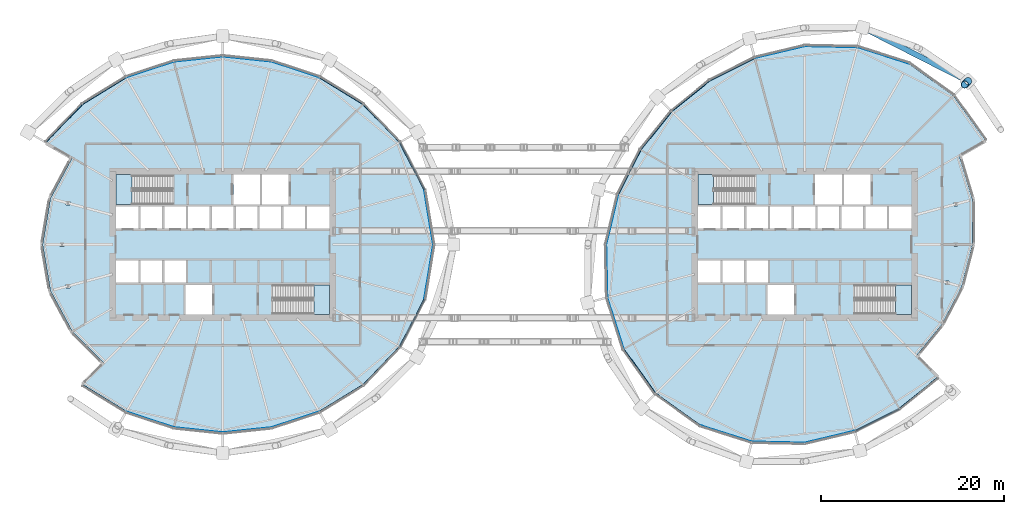
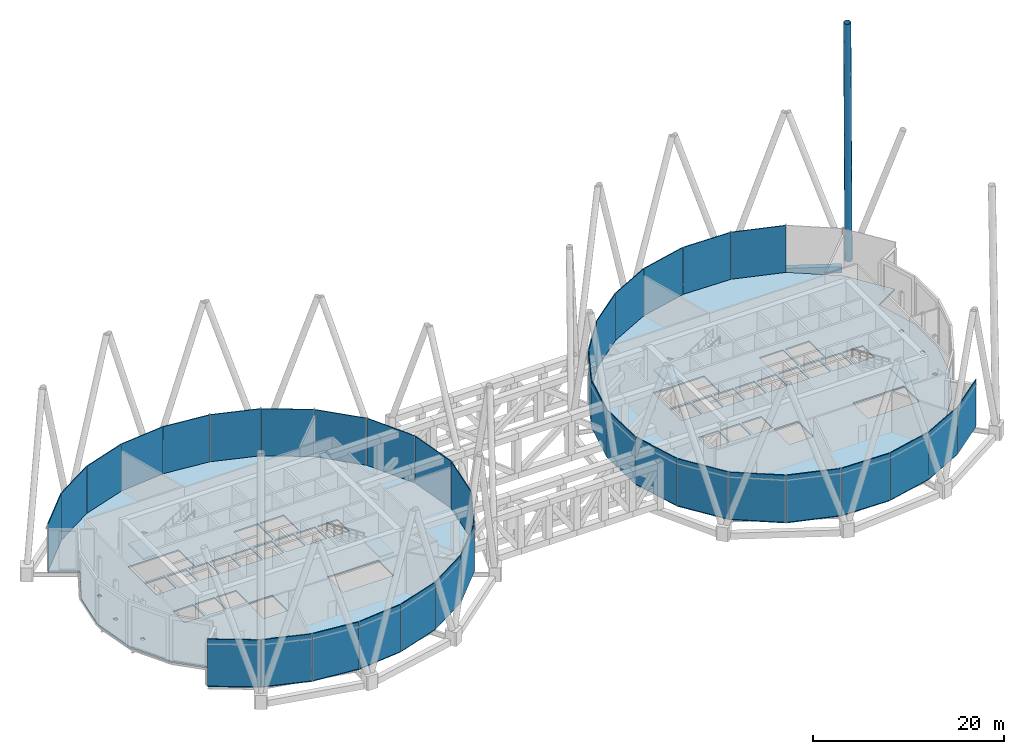
# One storey, part 30 of 39: 36 plates, 6 slabs, 1 beam, 1 member, 6 elements without a shape of their own.
"""IFC4 building model written with IfcOpenShell, lengths in metres."""

import ifcopenshell
import ifcopenshell.guid

model = None  # the IFC model being written
_history = None  # IfcOwnerHistory: only IFC2X3 demands one
_inside = {}  # id of a spatial element -> (the spatial element, [elements in it])
_under = {}  # id of a project, library or spatial element -> (it, [spatial elements below it])
_declared = {}  # id of a project -> (the project, [libraries it declares])
_typed = {}  # id of a type object -> (the type object, [elements of that type])
_made_of = {}  # id of a material, layer set ... -> (it, [elements and type objects made of it])


def new_model(schema):
    """Start an empty IFC model of exactly this schema.

    Asked for "IFC4X3", IfcOpenShell would pick the latest addendum, in which some entities
    have other attributes; the version numbers below select the first issue.
    IFC2X3 requires an IfcOwnerHistory on every rooted entity: one is made here for all.
    """
    global model, _history
    if schema == "IFC4X3":
        model = ifcopenshell.file(schema_version=(4, 3, 0, 0))
    else:
        model = ifcopenshell.file(schema=schema)
    _inside.clear()
    _under.clear()
    _declared.clear()
    _typed.clear()
    _made_of.clear()
    _history = None
    if model.schema == "IFC2X3":
        org = make("IfcOrganization", Name="unknown")
        user = make(
            "IfcPersonAndOrganization",
            ThePerson=make("IfcPerson", FamilyName="unknown"),
            TheOrganization=org,
        )
        app = make(
            "IfcApplication",
            ApplicationDeveloper=org,
            Version="unknown",
            ApplicationFullName="unknown",
            ApplicationIdentifier="unknown",
        )
        _history = make(
            "IfcOwnerHistory",
            OwningUser=user,
            OwningApplication=app,
            ChangeAction="ADDED",
            CreationDate=0,
        )
    return model


def make(cls, **values):
    """One entity of the class cls with the attributes given. An attribute that is None is left unset."""
    return model.create_entity(
        cls, **{name: value for name, value in values.items() if value is not None}
    )


def rooted(cls, **values):
    """An entity with a GlobalId (a new one), such as an element, a storey or a relation."""
    return make(cls, GlobalId=ifcopenshell.guid.new(), OwnerHistory=_history, **values)


def si_unit(unit_type, name, prefix=None):
    """IfcSIUnit, for example si_unit("LENGTHUNIT", "METRE", prefix="MILLI")."""
    return make("IfcSIUnit", UnitType=unit_type, Prefix=prefix, Name=name)


def assignment(units):
    """IfcUnitAssignment: the units of a project."""
    return None if units is None else make("IfcUnitAssignment", Units=units)


def point(xyz):
    """IfcCartesianPoint."""
    return None if xyz is None else make("IfcCartesianPoint", Coordinates=xyz)


def direction(xyz):
    """IfcDirection."""
    return None if xyz is None else make("IfcDirection", DirectionRatios=xyz)


def frame(location, z_axis=None, x_axis=None):
    """IfcAxis2Placement3D, a coordinate frame: its origin and axes. An axis left out is left unset."""
    return make(
        "IfcAxis2Placement3D",
        Location=point(location),
        Axis=direction(z_axis),
        RefDirection=direction(x_axis),
    )


def frame_2d(location, x_axis=None):
    """IfcAxis2Placement2D, a coordinate frame in the plane: its origin and x axis."""
    return make(
        "IfcAxis2Placement2D", Location=point(location), RefDirection=direction(x_axis)
    )


def origin():
    """The frame at (0, 0, 0) with its axes left unset."""
    return frame((0.0, 0.0, 0.0))


def origin_2d():
    """The frame at (0, 0) in the plane with its x axis left unset."""
    return frame_2d((0.0, 0.0))


def place(relative_to, where):
    """IfcLocalPlacement: puts the frame where relative to a parent placement (None: the world)."""
    return make(
        "IfcLocalPlacement", PlacementRelTo=relative_to, RelativePlacement=where
    )


def context(
    kind, dimensions, precision=None, world=None, true_north=None, identifier=None
):
    """IfcGeometricRepresentationContext, for example the 3D "Model" context."""
    return make(
        "IfcGeometricRepresentationContext",
        ContextIdentifier=identifier,
        ContextType=kind,
        CoordinateSpaceDimension=dimensions,
        Precision=precision,
        WorldCoordinateSystem=world,
        TrueNorth=true_north,
    )


def subcontext(parent, identifier, kind, view, scale=None):
    """IfcGeometricRepresentationSubContext, for example "Body" below "Model"."""
    return make(
        "IfcGeometricRepresentationSubContext",
        ContextIdentifier=identifier,
        ContextType=kind,
        ParentContext=parent,
        TargetScale=scale,
        TargetView=view,
    )


def project(units=None, contexts=None):
    """IfcProject with its units and contexts."""
    return rooted(
        "IfcProject",
        Name="project",
        RepresentationContexts=contexts,
        UnitsInContext=assignment(units),
    )


def spatial(cls, under=None, at=None, **own):
    """A site, building, storey or space (cls), placed at a placement, below another one or the project."""
    s = rooted(cls, ObjectPlacement=at, **own)
    if under is not None:
        _under.setdefault(under.id(), (under, []))[1].append(s)
    return s


def polyline(points):
    """IfcPolyline through the points."""
    return make("IfcPolyline", Points=[point(p) for p in points])


def profile(cls, at=None, kind="AREA", **sizes):
    """A parametric profile (cls). Its sizes go by their IFC names, for example OverallWidth=200.0."""
    return make(cls, ProfileType=kind, Position=at, **sizes)


def rectangle(**sizes):
    """IfcRectangleProfileDef."""
    return profile("IfcRectangleProfileDef", **sizes)


def hollow_rectangle(**sizes):
    """IfcRectangleHollowProfileDef."""
    return profile("IfcRectangleHollowProfileDef", **sizes)


def hollow_circle(**sizes):
    """IfcCircleHollowProfileDef."""
    return profile("IfcCircleHollowProfileDef", **sizes)


def outline(outer, holes=None, kind="AREA"):
    """IfcArbitraryClosedProfileDef: a profile drawn as a closed curve; with holes, ...WithVoids."""
    if holes is None:
        return make("IfcArbitraryClosedProfileDef", ProfileType=kind, OuterCurve=outer)
    return make(
        "IfcArbitraryProfileDefWithVoids",
        ProfileType=kind,
        OuterCurve=outer,
        InnerCurves=holes,
    )


def extrude(swept, where, along, depth):
    """IfcExtrudedAreaSolid: the profile swept, set in the frame where, extruded along a direction by depth."""
    return make(
        "IfcExtrudedAreaSolid",
        SweptArea=swept,
        Position=where,
        ExtrudedDirection=direction(along),
        Depth=depth,
    )


def shape(context_of_items, identifier, shape_type, items):
    """IfcShapeRepresentation: the items that make up one representation, for example the "Body"."""
    return make(
        "IfcShapeRepresentation",
        ContextOfItems=context_of_items,
        RepresentationIdentifier=identifier,
        RepresentationType=shape_type,
        Items=items,
    )


def material(Name=None, Category=None):
    """IfcMaterial."""
    return make("IfcMaterial", Name=Name, Category=Category)


def layer(
    of_material, thickness, ventilated=None, Name=None, Category=None, Priority=None
):
    """IfcMaterialLayer: one layer of a wall or slab, of a material (None: an air gap)."""
    return make(
        "IfcMaterialLayer",
        Material=of_material,
        LayerThickness=thickness,
        IsVentilated=ventilated,
        Name=Name,
        Category=Category,
        Priority=Priority,
    )


def layer_set(layers, Name=None):
    """IfcMaterialLayerSet."""
    return make("IfcMaterialLayerSet", MaterialLayers=layers, LayerSetName=Name)


def material_profile(
    of_material, cross_section, Name=None, Category=None, Priority=None
):
    """IfcMaterialProfile: a cross section and its material."""
    return make(
        "IfcMaterialProfile",
        Name=Name,
        Material=of_material,
        Profile=cross_section,
        Priority=Priority,
        Category=Category,
    )


def profile_set(profiles, Name=None, composite=None):
    """IfcMaterialProfileSet."""
    return make(
        "IfcMaterialProfileSet",
        Name=Name,
        MaterialProfiles=profiles,
        CompositeProfile=composite,
    )


def made_of(thing, what):
    """Note that an element or type object is made of a material, layer set ...; save() writes the relation."""
    if what is not None:
        _made_of.setdefault(what.id(), (what, []))[1].append(thing)
    return thing


def type_object(cls, material=None, **own):
    """A type object (cls), such as IfcWallType, which elements share."""
    return made_of(rooted(cls, **own), material)


def element(
    cls,
    number,
    at=None,
    inside=None,
    cuts=None,
    type_object=None,
    material=None,
    context=None,
    identifier="Body",
    shape_type=None,
    held_by="IfcProductDefinitionShape",
    body=None,
    shapes=None,
    **own,
):
    """One element of the class cls, such as IfcWall. Its Tag is "e" and its number.

    at: its placement. inside: the storey or other place that contains it. cuts: it is an
    opening in that element (IfcRelVoidsElement). A single representation is given by context,
    identifier, shape_type and body (its items); several are given by shapes. held_by: the class
    of the entity that holds the representations. save() writes the other relations.
    """
    e = rooted(cls, Tag="e%d" % number, ObjectPlacement=at, **own)
    if body is not None:
        shapes = [shape(context, identifier, shape_type, body)]
    if shapes is not None:
        e.Representation = make(held_by, Representations=shapes)
    if inside is not None:
        _inside.setdefault(inside.id(), (inside, []))[1].append(e)
    if cuts is not None:
        rooted(
            "IfcRelVoidsElement", RelatingBuildingElement=cuts, RelatedOpeningElement=e
        )
    if type_object is not None:
        _typed.setdefault(type_object.id(), (type_object, []))[1].append(e)
    return made_of(e, material)


def aggregate(whole, parts):
    """IfcRelAggregates: a whole, such as a stair, and the parts it consists of."""
    return rooted("IfcRelAggregates", RelatingObject=whole, RelatedObjects=parts)


def save(model, path):
    """Write the relations noted so far, then the file.

    IfcRelAggregates (storeys below a building ...), IfcRelContainedInSpatialStructure (elements
    in a storey), IfcRelDefinesByType, IfcRelAssociatesMaterial and IfcRelDeclares: one each for
    every whole, place, type object, material and project.
    """
    for whole, parts in _under.values():
        aggregate(whole, parts)
    for where, things in _inside.values():
        rooted(
            "IfcRelContainedInSpatialStructure",
            RelatedElements=things,
            RelatingStructure=where,
        )
    for kind, things in _typed.values():
        rooted("IfcRelDefinesByType", RelatedObjects=things, RelatingType=kind)
    for what, things in _made_of.values():
        rooted("IfcRelAssociatesMaterial", RelatedObjects=things, RelatingMaterial=what)
    for by, libraries in _declared.values():
        rooted("IfcRelDeclares", RelatingContext=by, RelatedDefinitions=libraries)
    model.write(path)


model = new_model("IFC4")

# Units and contexts
model_context = context("Model", 3, precision=1e-05, world=origin(), true_north=direction((0.0, 1.0)))
body_context = subcontext(model_context, "Body", "Model", "MODEL_VIEW")
ifc_project = project(units=[si_unit("LENGTHUNIT", "METRE"), si_unit("AREAUNIT", "SQUARE_METRE"), si_unit("VOLUMEUNIT", "CUBIC_METRE"), si_unit("PLANEANGLEUNIT", "RADIAN"), si_unit("MASSUNIT", "GRAM", prefix="KILO")], contexts=[model_context])

# Site, building, storey
site_placement = place(None, origin())
site = spatial("IfcSite", under=ifc_project, at=site_placement, CompositionType="ELEMENT")
building_placement = place(site_placement, origin())
building = spatial("IfcBuilding", under=site, at=building_placement, Name="Rimbun Link Towers", CompositionType="ELEMENT")
storey_placement = place(building_placement, frame((0.0, 0.0, 127.199951171875)))
storey = spatial("IfcBuildingStorey", under=building, at=storey_placement, Name="L31", CompositionType="ELEMENT", Elevation=127.199951171875)

# Beam
ifc_material_1 = material(Name="Steel S355J2", Category="steel")
ifc_material_profile_1 = material_profile(ifc_material_1, hollow_rectangle(XDim=0.60009765625, YDim=0.800048828125, WallThickness=0.0400390625, at=origin_2d()), Name="Exoskeleton ring girder BOX 600x800x40")
ifc_profile_set_1 = profile_set([ifc_material_profile_1], Name="Steel S355J2")
beam_type = type_object("IfcBeamType", Name="Exoskeleton ring girder BOX 600x800x40", PredefinedType="BEAM", material=ifc_profile_set_1)
beam_placement = place(storey_placement, frame((48.9560546875, 18.147705078125, -0.56005859375), z_axis=(-0.890962618974, 0.454076658276, 0.0), x_axis=(-0.454076658276, -0.890962618974, 0.0)))
element("IfcBeam", 1, at=beam_placement, inside=storey, type_object=beam_type, Name="Exoskeleton ring girder L31 00", PredefinedType="BEAM", context=body_context, shape_type="SweptSolid", body=[
    extrude(hollow_rectangle(XDim=0.60009765625, YDim=0.800048828125, WallThickness=0.0400390625, at=origin_2d()), origin(), (0.0, 0.0, 1.0), 11.4892578125),
])

# Member
ifc_material_2 = material(Name="Steel S460NH", Category="steel")
ifc_material_profile_2 = material_profile(ifc_material_2, hollow_circle(Radius=0.406494140625, WallThickness=0.0400390625, at=origin_2d()), Name="Slot edge CHS 813x40")
ifc_profile_set_2 = profile_set([ifc_material_profile_2], Name="Steel S460NH")
member_type = type_object("IfcMemberType", Name="Slot edge CHS 813x40", PredefinedType="BRACE", material=ifc_profile_set_2)
member_placement = place(storey_placement, frame((49.573974609375, 17.823974609375, 0.5), z_axis=(-0.011807686362, -0.011807686362, 0.999860568822), x_axis=(0.707106781187, -0.707106781187, 0.0)))
element("IfcMember", 2, at=member_placement, inside=storey, type_object=member_type, Name="Slot edge T2 L31-L38 00", PredefinedType="BRACE", context=body_context, shape_type="SweptSolid", body=[
    extrude(hollow_circle(Radius=0.406494140625, WallThickness=0.0400390625, at=origin_2d()), origin(), (0.0, 0.0, 1.0), 30.70458984375),
])

# Slabs
ifc_material_3 = material(Name="Concrete C35/45", Category="concrete")
ifc_layer_1 = layer(ifc_material_3, 0.179931640625)
ifc_layer_set_1 = layer_set([ifc_layer_1], Name="COMPOSITE FLOOR 180")
slab_type_1 = type_object("IfcSlabType", Name="COMPOSITE FLOOR 180", PredefinedType="FLOOR", material=ifc_layer_set_1)
slab_1_placement = place(storey_placement, frame((0.0, 0.0, -0.179931640625)))
element("IfcSlab", 3, at=slab_1_placement, inside=storey, type_object=slab_type_1, Name="Floor slab T1 L31", PredefinedType="FLOOR", context=body_context, shape_type="SweptSolid", body=[
    extrude(outline(polyline([(-47.045166015625, 15.295166015625), (-42.2724609375, 18.2255859375), (-37.093505859375, 19.94189453125), (-31.75, 20.504638671875), (-26.406494140625, 19.94189453125), (-21.2275390625, 18.2255859375), (-16.454833984375, 15.295166015625), (-12.46533203125, 11.134033203125), (-9.75390625, 5.893798828125), (-8.784912109375, 0.0), (-9.75390625, -5.893798828125), (-12.46533203125, -11.134033203125), (-16.454833984375, -15.295166015625), (-21.2275390625, -18.2255859375), (-26.406494140625, -19.94189453125), (-31.75, -20.504638671875), (-37.093505859375, -19.94189453125), (-42.2724609375, -18.2255859375), (-47.045166015625, -15.295166015625), (-44.711669921875, -12.961669921875), (-48.1767578125, -9.48388671875), (-50.558349609375, -5.039794921875), (-51.4150390625, 0.0), (-50.558349609375, 5.039794921875), (-48.1767578125, 9.48388671875), (-51.03466796875, 11.134033203125), (-47.045166015625, 15.295166015625)]), holes=[polyline([(-48.439453125, -4.72216796875), (-48.439453125, -4.32861328125), (-48.83837890625, -4.32861328125), (-48.83837890625, -4.72216796875), (-48.439453125, -4.72216796875)]), polyline([(-40.95556640625, -4.14990234375), (-40.95556640625, -1.75), (-43.39990234375, -1.75), (-43.39990234375, -4.14990234375), (-40.95556640625, -4.14990234375)]), polyline([(-38.361083984375, -4.14990234375), (-38.361083984375, -1.75), (-40.70556640625, -1.75), (-40.70556640625, -4.14990234375), (-38.361083984375, -4.14990234375)]), polyline([(-38.111083984375, -4.14990234375), (-35.7666015625, -4.14990234375), (-35.7666015625, -1.75), (-38.111083984375, -1.75), (-38.111083984375, -4.14990234375)]), polyline([(-49.497802734375, -0.19677734375), (-49.0986328125, -0.19677734375), (-49.0986328125, 0.19677734375), (-49.497802734375, 0.19677734375), (-49.497802734375, -0.19677734375)]), polyline([(-40.95556640625, 1.75), (-40.95556640625, 4.14990234375), (-43.39990234375, 4.14990234375), (-43.39990234375, 1.75), (-40.95556640625, 1.75)]), polyline([(-38.361083984375, 1.75), (-38.361083984375, 4.14990234375), (-40.70556640625, 4.14990234375), (-40.70556640625, 1.75), (-38.361083984375, 1.75)]), polyline([(-35.7666015625, 1.75), (-35.7666015625, 4.14990234375), (-38.111083984375, 4.14990234375), (-38.111083984375, 1.75), (-35.7666015625, 1.75)]), polyline([(-48.83837890625, 4.32861328125), (-48.439453125, 4.32861328125), (-48.439453125, 4.72216796875), (-48.83837890625, 4.72216796875), (-48.83837890625, 4.32861328125)]), polyline([(-43.39990234375, 4.39990234375), (-37.260009765625, 4.39990234375), (-37.260009765625, 7.64990234375), (-43.39990234375, 7.64990234375), (-43.39990234375, 4.39990234375)]), polyline([(-32.89990234375, -7.64990234375), (-32.89990234375, -4.39990234375), (-35.800048828125, -4.39990234375), (-35.800048828125, -7.64990234375), (-32.89990234375, -7.64990234375)]), polyline([(-20.10009765625, -7.64990234375), (-20.10009765625, -4.39990234375), (-26.239990234375, -4.39990234375), (-26.239990234375, -7.64990234375), (-20.10009765625, -7.64990234375)]), polyline([(-33.172119140625, 1.75), (-33.172119140625, 4.14990234375), (-35.5166015625, 4.14990234375), (-35.5166015625, 1.75), (-33.172119140625, 1.75)]), polyline([(-32.922119140625, 1.75), (-30.577880859375, 1.75), (-30.577880859375, 4.14990234375), (-32.922119140625, 4.14990234375), (-32.922119140625, 1.75)]), polyline([(-30.327880859375, 1.75), (-27.9833984375, 1.75), (-27.9833984375, 4.14990234375), (-30.327880859375, 4.14990234375), (-30.327880859375, 1.75)]), polyline([(-25.388916015625, 1.75), (-25.388916015625, 4.14990234375), (-27.7333984375, 4.14990234375), (-27.7333984375, 1.75), (-25.388916015625, 1.75)]), polyline([(-22.79443359375, 1.75), (-22.79443359375, 4.14990234375), (-25.138916015625, 4.14990234375), (-25.138916015625, 1.75), (-22.79443359375, 1.75)]), polyline([(-20.10009765625, 1.75), (-20.10009765625, 4.14990234375), (-22.54443359375, 4.14990234375), (-22.54443359375, 1.75), (-20.10009765625, 1.75)]), polyline([(-30.60009765625, 4.39990234375), (-27.699951171875, 4.39990234375), (-27.699951171875, 7.64990234375), (-30.60009765625, 7.64990234375), (-30.60009765625, 4.39990234375)]), polyline([(-27.449951171875, 4.39990234375), (-24.550048828125, 4.39990234375), (-24.550048828125, 7.64990234375), (-27.449951171875, 7.64990234375), (-27.449951171875, 4.39990234375)])]), origin(), (0.0, 0.0, 1.0), 0.179931640625),
])
slab_2_placement = place(storey_placement, frame((0.0, 0.0, -0.179931640625)))
element("IfcSlab", 4, at=slab_2_placement, inside=storey, type_object=slab_type_1, Name="Floor slab T2 L31", PredefinedType="FLOOR", context=body_context, shape_type="SweptSolid", body=[
    extrude(outline(polyline([(42.072509765625, -17.87939453125), (37.197021484375, -20.327880859375), (31.75, -21.630615234375), (25.986572265625, -21.50927734375), (20.364013671875, -19.720947265625), (15.51123046875, -16.23876953125), (12.029052734375, -11.385986328125), (10.24072265625, -5.763427734375), (10.119384765625, 0.0), (11.422119140625, 5.447021484375), (13.87060546875, 10.322509765625), (17.251220703125, 14.498779296875), (21.427490234375, 17.87939453125), (26.302978515625, 20.327880859375), (31.75, 21.630615234375), (37.513427734375, 21.50927734375), (43.135986328125, 19.720947265625), (47.98876953125, 16.23876953125), (51.470947265625, 11.385986328125), (48.61328125, 9.736083984375), (50.071533203125, 4.9091796875), (50.08056640625, 0.0), (48.890380859375, -4.5927734375), (46.771484375, -8.672607421875), (43.91552734375, -12.16552734375), (46.248779296875, -14.498779296875), (42.072509765625, -17.87939453125)]), holes=[polyline([(30.60009765625, -7.64990234375), (30.60009765625, -4.39990234375), (27.699951171875, -4.39990234375), (27.699951171875, -7.64990234375), (30.60009765625, -7.64990234375)]), polyline([(22.54443359375, -4.14990234375), (22.54443359375, -1.75), (20.10009765625, -1.75), (20.10009765625, -4.14990234375), (22.54443359375, -4.14990234375)]), polyline([(25.138916015625, -4.14990234375), (25.138916015625, -1.75), (22.79443359375, -1.75), (22.79443359375, -4.14990234375), (25.138916015625, -4.14990234375)]), polyline([(25.388916015625, -4.14990234375), (27.7333984375, -4.14990234375), (27.7333984375, -1.75), (25.388916015625, -1.75), (25.388916015625, -4.14990234375)]), polyline([(20.10009765625, 1.75), (22.54443359375, 1.75), (22.54443359375, 4.14990234375), (20.10009765625, 4.14990234375), (20.10009765625, 1.75)]), polyline([(25.138916015625, 1.75), (25.138916015625, 4.14990234375), (22.79443359375, 4.14990234375), (22.79443359375, 1.75), (25.138916015625, 1.75)]), polyline([(27.7333984375, 1.75), (27.7333984375, 4.14990234375), (25.388916015625, 4.14990234375), (25.388916015625, 1.75), (27.7333984375, 1.75)]), polyline([(30.327880859375, 1.75), (30.327880859375, 4.14990234375), (27.9833984375, 4.14990234375), (27.9833984375, 1.75), (30.327880859375, 1.75)]), polyline([(30.577880859375, 1.75), (32.922119140625, 1.75), (32.922119140625, 4.14990234375), (30.577880859375, 4.14990234375), (30.577880859375, 1.75)]), polyline([(20.10009765625, 4.39990234375), (26.239990234375, 4.39990234375), (26.239990234375, 7.64990234375), (20.10009765625, 7.64990234375), (20.10009765625, 4.39990234375)]), polyline([(43.39990234375, -7.64990234375), (43.39990234375, -4.39990234375), (37.260009765625, -4.39990234375), (37.260009765625, -7.64990234375), (43.39990234375, -7.64990234375)]), polyline([(47.5166015625, -4.367919921875), (47.5166015625, -3.974365234375), (47.11767578125, -3.974365234375), (47.11767578125, -4.367919921875), (47.5166015625, -4.367919921875)]), polyline([(48.435546875, -0.19677734375), (48.435546875, 0.19677734375), (48.03662109375, 0.19677734375), (48.03662109375, -0.19677734375), (48.435546875, -0.19677734375)]), polyline([(33.172119140625, 1.75), (35.5166015625, 1.75), (35.5166015625, 4.14990234375), (33.172119140625, 4.14990234375), (33.172119140625, 1.75)]), polyline([(35.7666015625, 1.75), (38.111083984375, 1.75), (38.111083984375, 4.14990234375), (35.7666015625, 4.14990234375), (35.7666015625, 1.75)]), polyline([(40.70556640625, 1.75), (40.70556640625, 4.14990234375), (38.361083984375, 4.14990234375), (38.361083984375, 1.75), (40.70556640625, 1.75)]), polyline([(43.39990234375, 1.75), (43.39990234375, 4.14990234375), (40.95556640625, 4.14990234375), (40.95556640625, 1.75), (43.39990234375, 1.75)]), polyline([(48.450927734375, 4.224609375), (48.450927734375, 4.618408203125), (48.052001953125, 4.618408203125), (48.052001953125, 4.224609375), (48.450927734375, 4.224609375)]), polyline([(32.89990234375, 4.39990234375), (35.800048828125, 4.39990234375), (35.800048828125, 7.64990234375), (32.89990234375, 7.64990234375), (32.89990234375, 4.39990234375)]), polyline([(36.050048828125, 4.39990234375), (38.949951171875, 4.39990234375), (38.949951171875, 7.64990234375), (36.050048828125, 7.64990234375), (36.050048828125, 4.39990234375)])]), origin(), (0.0, 0.0, 1.0), 0.179931640625),
])

# Curtain wall, plates
ifc_material_4 = material(Name="Aluminium 6063-T6 louvre wall", Category="aluminium")
curtain_wall_type = type_object("IfcCurtainWallType", Name="CW6 plant floor louvre wall", PredefinedType="NOTDEFINED", material=ifc_material_4)
curtain_wall_1_placement = place(storey_placement, origin())
curtain_wall_1 = element("IfcCurtainWall", 5, at=curtain_wall_1_placement, inside=storey, type_object=curtain_wall_type, Name="CW6 L31 T1", PredefinedType="NOTDEFINED")
ifc_material_5 = material(Name="Aluminium louvre panel", Category="aluminium")
ifc_layer_2 = layer(ifc_material_5, 0.10009765625)
ifc_layer_set_2 = layer_set([ifc_layer_2], Name="CW6 panel Aluminium louvre panel 100")
plate_type = type_object("IfcPlateType", Name="CW6 panel Aluminium louvre panel 100", PredefinedType="CURTAIN_PANEL", material=ifc_layer_set_2)
plate_1_placement = place(storey_placement, frame((-9.22021484375, 2.955078125, 0.0), z_axis=(0.0, 0.0, 1.0), x_axis=(0.16224835921, -0.986749953095, 0.0)))
plate_1 = element("IfcPlate", 6, at=plate_1_placement, type_object=plate_type, Name="CW6 louvre panel", PredefinedType="CURTAIN_PANEL", context=body_context, shape_type="SweptSolid", body=[
    extrude(rectangle(XDim=5.932861328125, YDim=0.10009765625, at=origin_2d()), origin(), (0.0, 0.0, 1.0), 6.0),
])
plate_2_placement = place(storey_placement, frame((-11.065185546875, 8.536865234375, 0.0), z_axis=(0.0, 0.0, 1.0), x_axis=(0.459550173372, -0.888151810308, 0.0)))
plate_2 = element("IfcPlate", 7, at=plate_2_placement, type_object=plate_type, Name="CW6 louvre panel", PredefinedType="CURTAIN_PANEL", context=body_context, shape_type="SweptSolid", body=[
    extrude(rectangle(XDim=5.860107421875, YDim=0.10009765625, at=origin_2d()), origin(), (0.0, 0.0, 1.0), 6.0),
])
plate_3_placement = place(storey_placement, frame((-14.424072265625, 13.249267578125, 0.0), z_axis=(0.0, 0.0, 1.0), x_axis=(0.692066227527, -0.721834009116, 0.0)))
plate_3 = element("IfcPlate", 8, at=plate_3_placement, type_object=plate_type, Name="CW6 louvre panel", PredefinedType="CURTAIN_PANEL", context=body_context, shape_type="SweptSolid", body=[
    extrude(rectangle(XDim=5.724609375, YDim=0.10009765625, at=origin_2d()), origin(), (0.0, 0.0, 1.0), 6.0),
])
plate_4_placement = place(storey_placement, frame((-18.81494140625, 16.802978515625, 0.0), z_axis=(0.0, 0.0, 1.0), x_axis=(0.852182679685, -0.523244379277, 0.0)))
plate_4 = element("IfcPlate", 9, at=plate_4_placement, type_object=plate_type, Name="CW6 louvre panel", PredefinedType="CURTAIN_PANEL", context=body_context, shape_type="SweptSolid", body=[
    extrude(rectangle(XDim=5.560546875, YDim=0.10009765625, at=origin_2d()), origin(), (0.0, 0.0, 1.0), 6.0),
])
plate_5_placement = place(storey_placement, frame((-23.80126953125, 19.131103515625, 0.0), z_axis=(0.0, 0.0, 1.0), x_axis=(0.949235356165, -0.314566747459, 0.0)))
plate_5 = element("IfcPlate", 10, at=plate_5_placement, type_object=plate_type, Name="CW6 louvre panel", PredefinedType="CURTAIN_PANEL", context=body_context, shape_type="SweptSolid", body=[
    extrude(rectangle(XDim=5.416015625, YDim=0.10009765625, at=origin_2d()), origin(), (0.0, 0.0, 1.0), 6.0),
])
plate_6_placement = place(storey_placement, frame((-29.072998046875, 20.27294921875, 0.0), z_axis=(0.0, 0.0, 1.0), x_axis=(0.994498924138, -0.104746789398, 0.0)))
plate_6 = element("IfcPlate", 11, at=plate_6_placement, type_object=plate_type, Name="CW6 louvre panel", PredefinedType="CURTAIN_PANEL", context=body_context, shape_type="SweptSolid", body=[
    extrude(rectangle(XDim=5.3330078125, YDim=0.10009765625, at=origin_2d()), origin(), (0.0, 0.0, 1.0), 6.0),
])
plate_7_placement = place(storey_placement, frame((-34.427001953125, 20.27294921875, 0.0), z_axis=(0.0, 0.0, 1.0), x_axis=(0.994498924138, 0.104746789398, 0.0)))
plate_7 = element("IfcPlate", 12, at=plate_7_placement, type_object=plate_type, Name="CW6 louvre panel", PredefinedType="CURTAIN_PANEL", context=body_context, shape_type="SweptSolid", body=[
    extrude(rectangle(XDim=5.3330078125, YDim=0.10009765625, at=origin_2d()), origin(), (0.0, 0.0, 1.0), 6.0),
])
plate_8_placement = place(storey_placement, frame((-39.69873046875, 19.131103515625, 0.0), z_axis=(0.0, 0.0, 1.0), x_axis=(0.949235356165, 0.314566747459, 0.0)))
plate_8 = element("IfcPlate", 13, at=plate_8_placement, type_object=plate_type, Name="CW6 louvre panel", PredefinedType="CURTAIN_PANEL", context=body_context, shape_type="SweptSolid", body=[
    extrude(rectangle(XDim=5.416015625, YDim=0.10009765625, at=origin_2d()), origin(), (0.0, 0.0, 1.0), 6.0),
])
plate_9_placement = place(storey_placement, frame((-44.68505859375, 16.802978515625, 0.0), z_axis=(0.0, 0.0, 1.0), x_axis=(0.852182679685, 0.523244379277, 0.0)))
plate_9 = element("IfcPlate", 14, at=plate_9_placement, type_object=plate_type, Name="CW6 louvre panel", PredefinedType="CURTAIN_PANEL", context=body_context, shape_type="SweptSolid", body=[
    extrude(rectangle(XDim=5.560546875, YDim=0.10009765625, at=origin_2d()), origin(), (0.0, 0.0, 1.0), 6.0),
])
plate_10_placement = place(storey_placement, frame((-49.075927734375, 13.249267578125, 0.0), z_axis=(0.0, 0.0, 1.0), x_axis=(0.692066227527, 0.721834009116, 0.0)))
plate_10 = element("IfcPlate", 15, at=plate_10_placement, type_object=plate_type, Name="CW6 louvre panel", PredefinedType="CURTAIN_PANEL", context=body_context, shape_type="SweptSolid", body=[
    extrude(rectangle(XDim=5.724609375, YDim=0.10009765625, at=origin_2d()), origin(), (0.0, 0.0, 1.0), 6.0),
])
plate_11_placement = place(storey_placement, frame((-44.68505859375, -16.802978515625, 0.0), z_axis=(0.0, 0.0, 1.0), x_axis=(-0.852182679685, 0.523244379277, 0.0)))
plate_11 = element("IfcPlate", 16, at=plate_11_placement, type_object=plate_type, Name="CW6 louvre panel", PredefinedType="CURTAIN_PANEL", context=body_context, shape_type="SweptSolid", body=[
    extrude(rectangle(XDim=5.560546875, YDim=0.10009765625, at=origin_2d()), origin(), (0.0, 0.0, 1.0), 6.0),
])
plate_12_placement = place(storey_placement, frame((-39.69873046875, -19.131103515625, 0.0), z_axis=(0.0, 0.0, 1.0), x_axis=(-0.949235356165, 0.314566747459, 0.0)))
plate_12 = element("IfcPlate", 17, at=plate_12_placement, type_object=plate_type, Name="CW6 louvre panel", PredefinedType="CURTAIN_PANEL", context=body_context, shape_type="SweptSolid", body=[
    extrude(rectangle(XDim=5.416015625, YDim=0.10009765625, at=origin_2d()), origin(), (0.0, 0.0, 1.0), 6.0),
])
plate_13_placement = place(storey_placement, frame((-34.427001953125, -20.27294921875, 0.0), z_axis=(0.0, 0.0, 1.0), x_axis=(-0.994498924138, 0.104746789398, 0.0)))
plate_13 = element("IfcPlate", 18, at=plate_13_placement, type_object=plate_type, Name="CW6 louvre panel", PredefinedType="CURTAIN_PANEL", context=body_context, shape_type="SweptSolid", body=[
    extrude(rectangle(XDim=5.3330078125, YDim=0.10009765625, at=origin_2d()), origin(), (0.0, 0.0, 1.0), 6.0),
])
plate_14_placement = place(storey_placement, frame((-29.072998046875, -20.27294921875, 0.0), z_axis=(0.0, 0.0, 1.0), x_axis=(-0.994498924138, -0.104746789398, 0.0)))
plate_14 = element("IfcPlate", 19, at=plate_14_placement, type_object=plate_type, Name="CW6 louvre panel", PredefinedType="CURTAIN_PANEL", context=body_context, shape_type="SweptSolid", body=[
    extrude(rectangle(XDim=5.3330078125, YDim=0.10009765625, at=origin_2d()), origin(), (0.0, 0.0, 1.0), 6.0),
])
plate_15_placement = place(storey_placement, frame((-23.80126953125, -19.131103515625, 0.0), z_axis=(0.0, 0.0, 1.0), x_axis=(-0.949235356165, -0.314566747459, 0.0)))
plate_15 = element("IfcPlate", 20, at=plate_15_placement, type_object=plate_type, Name="CW6 louvre panel", PredefinedType="CURTAIN_PANEL", context=body_context, shape_type="SweptSolid", body=[
    extrude(rectangle(XDim=5.416015625, YDim=0.10009765625, at=origin_2d()), origin(), (0.0, 0.0, 1.0), 6.0),
])
plate_16_placement = place(storey_placement, frame((-18.81494140625, -16.802978515625, 0.0), z_axis=(0.0, 0.0, 1.0), x_axis=(-0.852182679685, -0.523244379277, 0.0)))
plate_16 = element("IfcPlate", 21, at=plate_16_placement, type_object=plate_type, Name="CW6 louvre panel", PredefinedType="CURTAIN_PANEL", context=body_context, shape_type="SweptSolid", body=[
    extrude(rectangle(XDim=5.560546875, YDim=0.10009765625, at=origin_2d()), origin(), (0.0, 0.0, 1.0), 6.0),
])
plate_17_placement = place(storey_placement, frame((-14.424072265625, -13.249267578125, 0.0), z_axis=(0.0, 0.0, 1.0), x_axis=(-0.692066227527, -0.721834009116, 0.0)))
plate_17 = element("IfcPlate", 22, at=plate_17_placement, type_object=plate_type, Name="CW6 louvre panel", PredefinedType="CURTAIN_PANEL", context=body_context, shape_type="SweptSolid", body=[
    extrude(rectangle(XDim=5.724609375, YDim=0.10009765625, at=origin_2d()), origin(), (0.0, 0.0, 1.0), 6.0),
])
plate_18_placement = place(storey_placement, frame((-11.065185546875, -8.536865234375, 0.0), z_axis=(0.0, 0.0, 1.0), x_axis=(-0.459550173372, -0.888151810308, 0.0)))
plate_18 = element("IfcPlate", 23, at=plate_18_placement, type_object=plate_type, Name="CW6 louvre panel", PredefinedType="CURTAIN_PANEL", context=body_context, shape_type="SweptSolid", body=[
    extrude(rectangle(XDim=5.860107421875, YDim=0.10009765625, at=origin_2d()), origin(), (0.0, 0.0, 1.0), 6.0),
])
plate_19_placement = place(storey_placement, frame((-9.22021484375, -2.955078125, 0.0), z_axis=(0.0, 0.0, 1.0), x_axis=(-0.16224835921, -0.986749953095, 0.0)))
plate_19 = element("IfcPlate", 24, at=plate_19_placement, type_object=plate_type, Name="CW6 louvre panel", PredefinedType="CURTAIN_PANEL", context=body_context, shape_type="SweptSolid", body=[
    extrude(rectangle(XDim=5.932861328125, YDim=0.10009765625, at=origin_2d()), origin(), (0.0, 0.0, 1.0), 6.0),
])
aggregate(curtain_wall_1, [plate_1, plate_2, plate_3, plate_4, plate_5, plate_6, plate_7, plate_8, plate_9, plate_10, plate_11, plate_12, plate_13, plate_14, plate_15, plate_16, plate_17, plate_18, plate_19])

curtain_wall_2_placement = place(storey_placement, origin())
curtain_wall_2 = element("IfcCurtainWall", 25, at=curtain_wall_2_placement, inside=storey, type_object=curtain_wall_type, Name="CW6 L31 T2", PredefinedType="NOTDEFINED")
plate_20_placement = place(storey_placement, frame((40.33984375, 20.662841796875, 0.0), z_axis=(0.0, 0.0, 1.0), x_axis=(0.952965393364, -0.303079130015, 0.0)))
plate_20 = element("IfcPlate", 26, at=plate_20_placement, type_object=plate_type, Name="CW6 louvre panel", PredefinedType="CURTAIN_PANEL", context=body_context, shape_type="SweptSolid", body=[
    extrude(rectangle(XDim=5.860107421875, YDim=0.10009765625, at=origin_2d()), origin(), (0.0, 0.0, 1.0), 6.0),
])
plate_21_placement = place(storey_placement, frame((34.6328125, 21.619873046875, 0.0), z_axis=(0.0, 0.0, 1.0), x_axis=(0.999778228689, -0.021059283918, 0.0)))
plate_21 = element("IfcPlate", 27, at=plate_21_placement, type_object=plate_type, Name="CW6 louvre panel", PredefinedType="CURTAIN_PANEL", context=body_context, shape_type="SweptSolid", body=[
    extrude(rectangle(XDim=5.724609375, YDim=0.10009765625, at=origin_2d()), origin(), (0.0, 0.0, 1.0), 6.0),
])
plate_22_placement = place(storey_placement, frame((29.014892578125, 21.02783203125, 0.0), z_axis=(0.0, 0.0, 1.0), x_axis=(0.972571603702, 0.232603688002, 0.0)))
plate_22 = element("IfcPlate", 28, at=plate_22_placement, type_object=plate_type, Name="CW6 louvre panel", PredefinedType="CURTAIN_PANEL", context=body_context, shape_type="SweptSolid", body=[
    extrude(rectangle(XDim=5.560546875, YDim=0.10009765625, at=origin_2d()), origin(), (0.0, 0.0, 1.0), 6.0),
])
plate_23_placement = place(storey_placement, frame((23.8427734375, 19.148193359375, 0.0), z_axis=(0.0, 0.0, 1.0), x_axis=(0.893637681003, 0.448789143242, 0.0)))
plate_23 = element("IfcPlate", 29, at=plate_23_placement, type_object=plate_type, Name="CW6 louvre panel", PredefinedType="CURTAIN_PANEL", context=body_context, shape_type="SweptSolid", body=[
    extrude(rectangle(XDim=5.416015625, YDim=0.10009765625, at=origin_2d()), origin(), (0.0, 0.0, 1.0), 6.0),
])
plate_24_placement = place(storey_placement, frame((19.307861328125, 16.22802734375, 0.0), z_axis=(0.0, 0.0, 1.0), x_axis=(0.777282577232, 0.629151647166, 0.0)))
plate_24 = element("IfcPlate", 30, at=plate_24_placement, type_object=plate_type, Name="CW6 louvre panel", PredefinedType="CURTAIN_PANEL", context=body_context, shape_type="SweptSolid", body=[
    extrude(rectangle(XDim=5.3330078125, YDim=0.10009765625, at=origin_2d()), origin(), (0.0, 0.0, 1.0), 6.0),
])
plate_25_placement = place(storey_placement, frame((15.52197265625, 12.442138671875, 0.0), z_axis=(0.0, 0.0, 1.0), x_axis=(0.629151647166, 0.777282577232, 0.0)))
plate_25 = element("IfcPlate", 31, at=plate_25_placement, type_object=plate_type, Name="CW6 louvre panel", PredefinedType="CURTAIN_PANEL", context=body_context, shape_type="SweptSolid", body=[
    extrude(rectangle(XDim=5.3330078125, YDim=0.10009765625, at=origin_2d()), origin(), (0.0, 0.0, 1.0), 6.0),
])
plate_26_placement = place(storey_placement, frame((12.601806640625, 7.9072265625, 0.0), z_axis=(0.0, 0.0, 1.0), x_axis=(0.448789143242, 0.893637681003, 0.0)))
plate_26 = element("IfcPlate", 32, at=plate_26_placement, type_object=plate_type, Name="CW6 louvre panel", PredefinedType="CURTAIN_PANEL", context=body_context, shape_type="SweptSolid", body=[
    extrude(rectangle(XDim=5.416015625, YDim=0.10009765625, at=origin_2d()), origin(), (0.0, 0.0, 1.0), 6.0),
])
plate_27_placement = place(storey_placement, frame((10.72216796875, 2.735107421875, 0.0), z_axis=(0.0, 0.0, 1.0), x_axis=(0.232603688002, 0.972571603702, 0.0)))
plate_27 = element("IfcPlate", 33, at=plate_27_placement, type_object=plate_type, Name="CW6 louvre panel", PredefinedType="CURTAIN_PANEL", context=body_context, shape_type="SweptSolid", body=[
    extrude(rectangle(XDim=5.560546875, YDim=0.10009765625, at=origin_2d()), origin(), (0.0, 0.0, 1.0), 6.0),
])
plate_28_placement = place(storey_placement, frame((10.130126953125, -2.8828125, 0.0), z_axis=(0.0, 0.0, 1.0), x_axis=(-0.021059283918, 0.999778228689, 0.0)))
plate_28 = element("IfcPlate", 34, at=plate_28_placement, type_object=plate_type, Name="CW6 louvre panel", PredefinedType="CURTAIN_PANEL", context=body_context, shape_type="SweptSolid", body=[
    extrude(rectangle(XDim=5.724609375, YDim=0.10009765625, at=origin_2d()), origin(), (0.0, 0.0, 1.0), 6.0),
])
plate_29_placement = place(storey_placement, frame((11.087158203125, -8.58984375, 0.0), z_axis=(0.0, 0.0, 1.0), x_axis=(-0.303079130015, 0.952965393364, 0.0)))
plate_29 = element("IfcPlate", 35, at=plate_29_placement, type_object=plate_type, Name="CW6 louvre panel", PredefinedType="CURTAIN_PANEL", context=body_context, shape_type="SweptSolid", body=[
    extrude(rectangle(XDim=5.860107421875, YDim=0.10009765625, at=origin_2d()), origin(), (0.0, 0.0, 1.0), 6.0),
])
plate_30_placement = place(storey_placement, frame((13.7294921875, -13.841552734375, 0.0), z_axis=(0.0, 0.0, 1.0), x_axis=(-0.583001106229, 0.812471359579, 0.0)))
plate_30 = element("IfcPlate", 36, at=plate_30_placement, type_object=plate_type, Name="CW6 louvre panel", PredefinedType="CURTAIN_PANEL", context=body_context, shape_type="SweptSolid", body=[
    extrude(rectangle(XDim=5.932861328125, YDim=0.10009765625, at=origin_2d()), origin(), (0.0, 0.0, 1.0), 6.0),
])
plate_31_placement = place(storey_placement, frame((17.908447265625, -18.0205078125, 0.0), z_axis=(0.0, 0.0, 1.0), x_axis=(-0.812471359579, 0.583001106229, 0.0)))
plate_31 = element("IfcPlate", 37, at=plate_31_placement, type_object=plate_type, Name="CW6 louvre panel", PredefinedType="CURTAIN_PANEL", context=body_context, shape_type="SweptSolid", body=[
    extrude(rectangle(XDim=5.932861328125, YDim=0.10009765625, at=origin_2d()), origin(), (0.0, 0.0, 1.0), 6.0),
])
plate_32_placement = place(storey_placement, frame((23.16015625, -20.662841796875, 0.0), z_axis=(0.0, 0.0, 1.0), x_axis=(-0.952965393364, 0.303079130015, 0.0)))
plate_32 = element("IfcPlate", 38, at=plate_32_placement, type_object=plate_type, Name="CW6 louvre panel", PredefinedType="CURTAIN_PANEL", context=body_context, shape_type="SweptSolid", body=[
    extrude(rectangle(XDim=5.860107421875, YDim=0.10009765625, at=origin_2d()), origin(), (0.0, 0.0, 1.0), 6.0),
])
plate_33_placement = place(storey_placement, frame((28.8671875, -21.619873046875, 0.0), z_axis=(0.0, 0.0, 1.0), x_axis=(-0.999778228689, 0.021059283918, 0.0)))
plate_33 = element("IfcPlate", 39, at=plate_33_placement, type_object=plate_type, Name="CW6 louvre panel", PredefinedType="CURTAIN_PANEL", context=body_context, shape_type="SweptSolid", body=[
    extrude(rectangle(XDim=5.724609375, YDim=0.10009765625, at=origin_2d()), origin(), (0.0, 0.0, 1.0), 6.0),
])
plate_34_placement = place(storey_placement, frame((34.485107421875, -21.02783203125, 0.0), z_axis=(0.0, 0.0, 1.0), x_axis=(-0.972571603702, -0.232603688002, 0.0)))
plate_34 = element("IfcPlate", 40, at=plate_34_placement, type_object=plate_type, Name="CW6 louvre panel", PredefinedType="CURTAIN_PANEL", context=body_context, shape_type="SweptSolid", body=[
    extrude(rectangle(XDim=5.560546875, YDim=0.10009765625, at=origin_2d()), origin(), (0.0, 0.0, 1.0), 6.0),
])
plate_35_placement = place(storey_placement, frame((39.6572265625, -19.148193359375, 0.0), z_axis=(0.0, 0.0, 1.0), x_axis=(-0.893637681003, -0.448789143242, 0.0)))
plate_35 = element("IfcPlate", 41, at=plate_35_placement, type_object=plate_type, Name="CW6 louvre panel", PredefinedType="CURTAIN_PANEL", context=body_context, shape_type="SweptSolid", body=[
    extrude(rectangle(XDim=5.416015625, YDim=0.10009765625, at=origin_2d()), origin(), (0.0, 0.0, 1.0), 6.0),
])
plate_36_placement = place(storey_placement, frame((44.192138671875, -16.22802734375, 0.0), z_axis=(0.0, 0.0, 1.0), x_axis=(-0.777282577232, -0.629151647166, 0.0)))
plate_36 = element("IfcPlate", 42, at=plate_36_placement, type_object=plate_type, Name="CW6 louvre panel", PredefinedType="CURTAIN_PANEL", context=body_context, shape_type="SweptSolid", body=[
    extrude(rectangle(XDim=5.3330078125, YDim=0.10009765625, at=origin_2d()), origin(), (0.0, 0.0, 1.0), 6.0),
])
aggregate(curtain_wall_2, [plate_20, plate_21, plate_22, plate_23, plate_24, plate_25, plate_26, plate_27, plate_28, plate_29, plate_30, plate_31, plate_32, plate_33, plate_34, plate_35, plate_36])

# Stair, slab
ifc_material_6 = material(Name="Concrete C40/50", Category="concrete")
stair_type = type_object("IfcStairType", Name="Exit stair 6000 rise", PredefinedType="HALF_TURN_STAIR", material=ifc_material_6)
stair_1_placement = place(storey_placement, origin())
stair_1 = element("IfcStair", 43, at=stair_1_placement, inside=storey, type_object=stair_type, Name="L31 EXIT STAIR A", PredefinedType="HALF_TURN_STAIR")
ifc_material_7 = material(Name="Concrete C40/50", Category="concrete")
ifc_layer_3 = layer(ifc_material_7, 0.199951171875)
ifc_layer_set_3 = layer_set([ifc_layer_3], Name="Stair landing")
slab_type_2 = type_object("IfcSlabType", Name="Stair landing", PredefinedType="LANDING", material=ifc_layer_set_3)
slab_3_placement = place(storey_placement, frame((0.0, 0.0, 2.800048828125)))
slab_3 = element("IfcSlab", 44, at=slab_3_placement, type_object=slab_type_2, Name="ST1 landing 1", PredefinedType="LANDING", context=body_context, shape_type="SweptSolid", body=[
    extrude(outline(polyline([(-41.679931640625, 7.64990234375), (-43.39990234375, 7.64990234375), (-43.39990234375, 4.39990234375), (-41.679931640625, 4.39990234375), (-41.679931640625, 7.64990234375)])), origin(), (0.0, 0.0, 1.0), 0.199951171875),
])
aggregate(stair_1, [slab_3])

stair_2_placement = place(storey_placement, origin())
stair_2 = element("IfcStair", 45, at=stair_2_placement, inside=storey, type_object=stair_type, Name="L31 EXIT STAIR B", PredefinedType="HALF_TURN_STAIR")
slab_4_placement = place(storey_placement, frame((0.0, 0.0, 2.800048828125)))
slab_4 = element("IfcSlab", 46, at=slab_4_placement, type_object=slab_type_2, Name="ST2 landing 1", PredefinedType="LANDING", context=body_context, shape_type="SweptSolid", body=[
    extrude(outline(polyline([(-21.820068359375, -7.64990234375), (-20.10009765625, -7.64990234375), (-20.10009765625, -4.39990234375), (-21.820068359375, -4.39990234375), (-21.820068359375, -7.64990234375)])), origin(), (0.0, 0.0, 1.0), 0.199951171875),
])
aggregate(stair_2, [slab_4])

stair_3_placement = place(storey_placement, origin())
stair_3 = element("IfcStair", 47, at=stair_3_placement, inside=storey, type_object=stair_type, Name="L31 EXIT STAIR A", PredefinedType="HALF_TURN_STAIR")
slab_5_placement = place(storey_placement, frame((0.0, 0.0, 2.800048828125)))
slab_5 = element("IfcSlab", 48, at=slab_5_placement, type_object=slab_type_2, Name="ST3 landing 1", PredefinedType="LANDING", context=body_context, shape_type="SweptSolid", body=[
    extrude(outline(polyline([(21.820068359375, 7.64990234375), (20.10009765625, 7.64990234375), (20.10009765625, 4.39990234375), (21.820068359375, 4.39990234375), (21.820068359375, 7.64990234375)])), origin(), (0.0, 0.0, 1.0), 0.199951171875),
])
aggregate(stair_3, [slab_5])

stair_4_placement = place(storey_placement, origin())
stair_4 = element("IfcStair", 49, at=stair_4_placement, inside=storey, type_object=stair_type, Name="L31 EXIT STAIR B", PredefinedType="HALF_TURN_STAIR")
slab_6_placement = place(storey_placement, frame((0.0, 0.0, 2.800048828125)))
slab_6 = element("IfcSlab", 50, at=slab_6_placement, type_object=slab_type_2, Name="ST4 landing 1", PredefinedType="LANDING", context=body_context, shape_type="SweptSolid", body=[
    extrude(outline(polyline([(41.679931640625, -7.64990234375), (43.39990234375, -7.64990234375), (43.39990234375, -4.39990234375), (41.679931640625, -4.39990234375), (41.679931640625, -7.64990234375)])), origin(), (0.0, 0.0, 1.0), 0.199951171875),
])
aggregate(stair_4, [slab_6])

save(model, "model.ifc")
